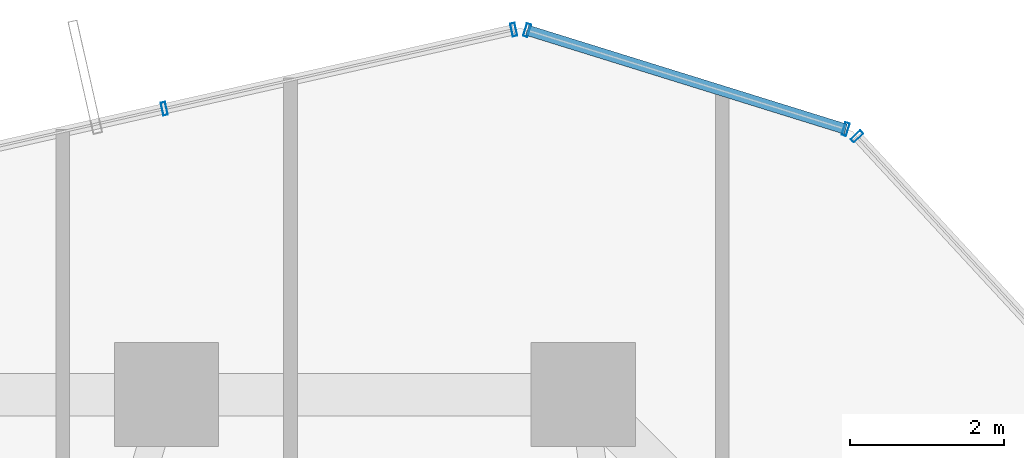
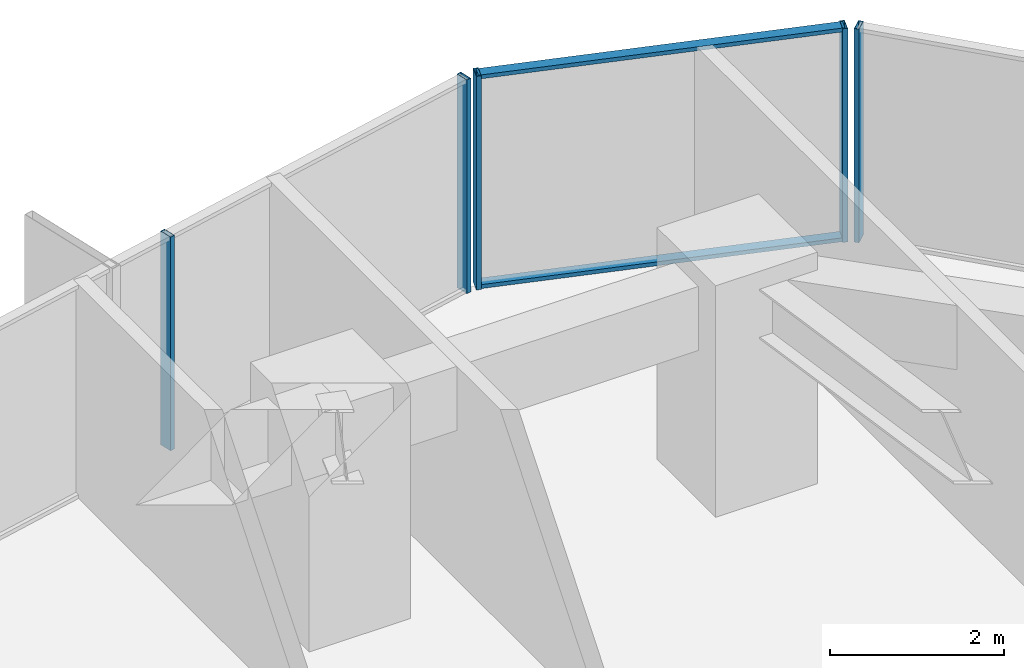
# One storey, part 28 of 39: 7 members, 3 elements without a shape of their own.
"""IFC4 building model written with IfcOpenShell, lengths in metres."""

from ifc_helpers import new_model, si_unit, direction, frame, origin, origin_2d, place, context, subcontext, project, spatial, hollow_rectangle, extrude, source, transform, mapped, material, layer, layer_set, material_profile, profile_set, type_object, element, aggregate, save


model = new_model("IFC4")

# Units and contexts
model_context = context("Model", 3, precision=1e-05, world=origin(), true_north=direction((0.0, 1.0)))
body_context = subcontext(model_context, "Body", "Model", "MODEL_VIEW")
ifc_project = project(units=[si_unit("LENGTHUNIT", "METRE"), si_unit("AREAUNIT", "SQUARE_METRE"), si_unit("VOLUMEUNIT", "CUBIC_METRE"), si_unit("PLANEANGLEUNIT", "RADIAN"), si_unit("MASSUNIT", "GRAM", prefix="KILO")], contexts=[model_context])

# Site, building, storey
site_placement = place(None, origin())
site = spatial("IfcSite", under=ifc_project, at=site_placement, CompositionType="ELEMENT")
building_placement = place(site_placement, origin())
building = spatial("IfcBuilding", under=site, at=building_placement, Name="Veraguas Prism Commons", CompositionType="ELEMENT")
storey_placement = place(building_placement, frame((0.0, 0.0, 67.35009765625)))
storey = spatial("IfcBuildingStorey", under=building, at=storey_placement, Name="L18", CompositionType="ELEMENT", Elevation=67.35009765625)

# Curtain wall, member
ifc_material = material(Name="Anodised aluminium EN AW-6063 T6", Category="aluminium")
ifc_layer = layer(ifc_material, 0.169921875, Name="Unitised Flush Curtain Wall Zone 1", Category="aluminium")
ifc_layer_set = layer_set([ifc_layer], Name="Anodised aluminium EN AW-6063 T6")
curtain_wall_type = type_object("IfcCurtainWallType", Name="Unitised Flush Curtain Wall Zone 1", PredefinedType="NOTDEFINED", material=ifc_layer_set)
curtain_wall_1_placement = place(storey_placement, origin())
curtain_wall_1 = element("IfcCurtainWall", 1, at=curtain_wall_1_placement, inside=storey, type_object=curtain_wall_type, Name="Tower Facade Curtain Wall L18-F1", PredefinedType="NOTDEFINED")
ifc_material_profile_1 = material_profile(ifc_material, hollow_rectangle(XDim=0.06005859375, YDim=0.169921875, WallThickness=0.00390625, at=origin_2d()), Name="AL60X170X4")
ifc_profile_set_1 = profile_set([ifc_material_profile_1], Name="Anodised aluminium EN AW-6063 T6")
member_type_1 = type_object("IfcMemberType", Name="Curtain Wall Mullion Lower AL 60x170x4", PredefinedType="MULLION", material=ifc_profile_set_1)
shared_shape_1 = source(origin(), body_context, "Body", "SweptSolid", [
    extrude(hollow_rectangle(XDim=0.06005859375, YDim=0.169921875, WallThickness=0.00390625, at=origin_2d()), origin(), (0.0, 0.0, 1.0), 3.0),
])
member_1_placement = place(storey_placement, frame((32.9453125, 44.945068359375, 0.0), z_axis=(0.0, 0.0, 1.0), x_axis=(-0.678677699088, 0.734436233284, 0.0)))
member_1 = element("IfcMember", 2, at=member_1_placement, type_object=member_type_1, Name="CW-Z1 Mullion 5", PredefinedType="MULLION", context=body_context, shape_type="MappedRepresentation", body=[
    mapped(shared_shape_1, transform((0.0, 0.0, 0.0), scale=1.0)),
])
aggregate(curtain_wall_1, [member_1])

# Curtain wall, members
curtain_wall_2_placement = place(storey_placement, origin())
curtain_wall_2 = element("IfcCurtainWall", 3, at=curtain_wall_2_placement, inside=storey, type_object=curtain_wall_type, Name="Tower Facade Curtain Wall L18-F2", PredefinedType="NOTDEFINED")
member_2_placement = place(storey_placement, frame((28.4990234375, 46.326416015625, 0.0), z_axis=(0.0, 0.0, 1.0), x_axis=(-0.975379669931, -0.220532309392, 0.0)))
member_2 = element("IfcMember", 4, at=member_2_placement, type_object=member_type_1, Name="CW-Z1 Mullion 1", PredefinedType="MULLION", context=body_context, shape_type="MappedRepresentation", body=[
    mapped(shared_shape_1, transform((0.0, 0.0, 0.0), scale=1.0)),
])
member_3_placement = place(storey_placement, frame((23.972412109375, 45.302978515625, 0.0), z_axis=(0.0, 0.0, 1.0), x_axis=(-0.975379669931, -0.220532309392, 0.0)))
member_3 = element("IfcMember", 5, at=member_3_placement, type_object=member_type_1, Name="CW-Z1 Mullion 2", PredefinedType="MULLION", context=body_context, shape_type="MappedRepresentation", body=[
    mapped(shared_shape_1, transform((0.0, 0.0, 0.0), scale=1.0)),
])
aggregate(curtain_wall_2, [member_2, member_3])

curtain_wall_3_placement = place(storey_placement, origin())
curtain_wall_3 = element("IfcCurtainWall", 6, at=curtain_wall_3_placement, inside=storey, type_object=curtain_wall_type, Name="Chamfer Curtain Wall L18-C2", PredefinedType="NOTDEFINED")
member_4_placement = place(storey_placement, frame((32.79833984375, 45.037841796875, 0.0), z_axis=(0.0, 0.0, 1.0), x_axis=(-0.954965584339, 0.296716586541, 0.0)))
member_4 = element("IfcMember", 7, at=member_4_placement, type_object=member_type_1, Name="CW-Z1 Mullion 1", PredefinedType="MULLION", context=body_context, shape_type="MappedRepresentation", body=[
    mapped(shared_shape_1, transform((0.0, 0.0, 0.0), scale=1.0)),
])
member_5_placement = place(storey_placement, frame((28.6728515625, 46.319580078125, 0.0), z_axis=(0.0, 0.0, 1.0), x_axis=(-0.954965584339, 0.296716586541, 0.0)))
member_5 = element("IfcMember", 8, at=member_5_placement, type_object=member_type_1, Name="CW-Z1 Mullion 2", PredefinedType="MULLION", context=body_context, shape_type="MappedRepresentation", body=[
    mapped(shared_shape_1, transform((0.0, 0.0, 0.0), scale=1.0)),
])
ifc_material_profile_2 = material_profile(ifc_material, hollow_rectangle(XDim=0.054931640625, YDim=0.135009765625, WallThickness=0.0029296875, at=origin_2d()), Name="AL55X135X3")
ifc_profile_set_2 = profile_set([ifc_material_profile_2], Name="Anodised aluminium EN AW-6063 T6")
member_type_2 = type_object("IfcMemberType", Name="Curtain Wall Transom Standard AL 55x135x3", PredefinedType="USERDEFINED", material=ifc_profile_set_2)
shared_shape_2 = source(origin(), body_context, "Body", "SweptSolid", [
    extrude(hollow_rectangle(XDim=0.054931640625, YDim=0.135009765625, WallThickness=0.0029296875, at=origin_2d()), origin(), (0.0, 0.0, 1.0), 4.320068359375),
])
member_6_placement = place(storey_placement, frame((32.79833984375, 45.037841796875, 0.02734375), z_axis=(-0.954971412277, 0.296697829001, 0.0), x_axis=(0.0, 0.0, 1.0)))
member_6 = element("IfcMember", 9, at=member_6_placement, type_object=member_type_2, Name="CW-Z1 Transom 1", ObjectType="TRANSOM", PredefinedType="USERDEFINED", context=body_context, shape_type="MappedRepresentation", body=[
    mapped(shared_shape_2, transform((0.0, 0.0, 0.0), scale=1.0)),
])
member_7_placement = place(storey_placement, frame((32.79833984375, 45.037841796875, 2.972412109375), z_axis=(-0.954971412277, 0.296697829001, 0.0), x_axis=(0.0, 0.0, 1.0)))
member_7 = element("IfcMember", 10, at=member_7_placement, type_object=member_type_2, Name="CW-Z1 Transom 2", ObjectType="TRANSOM", PredefinedType="USERDEFINED", context=body_context, shape_type="MappedRepresentation", body=[
    mapped(shared_shape_2, transform((0.0, 0.0, 0.0), scale=1.0)),
])
aggregate(curtain_wall_3, [member_4, member_5, member_6, member_7])

save(model, "model.ifc")
